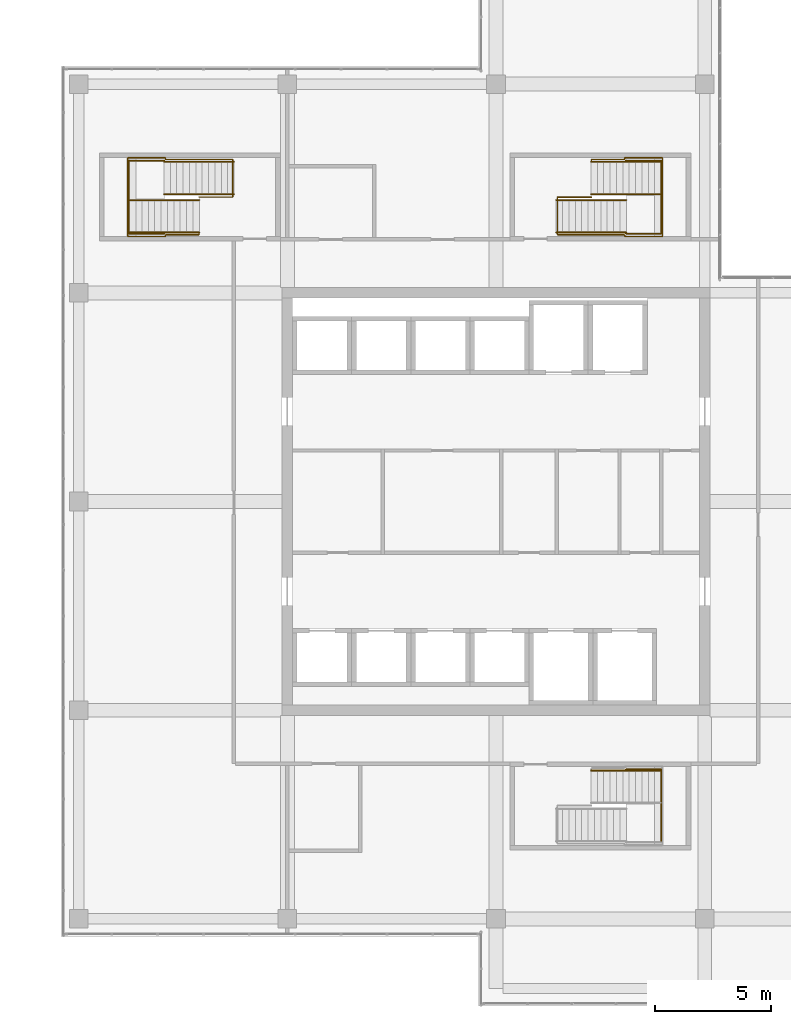
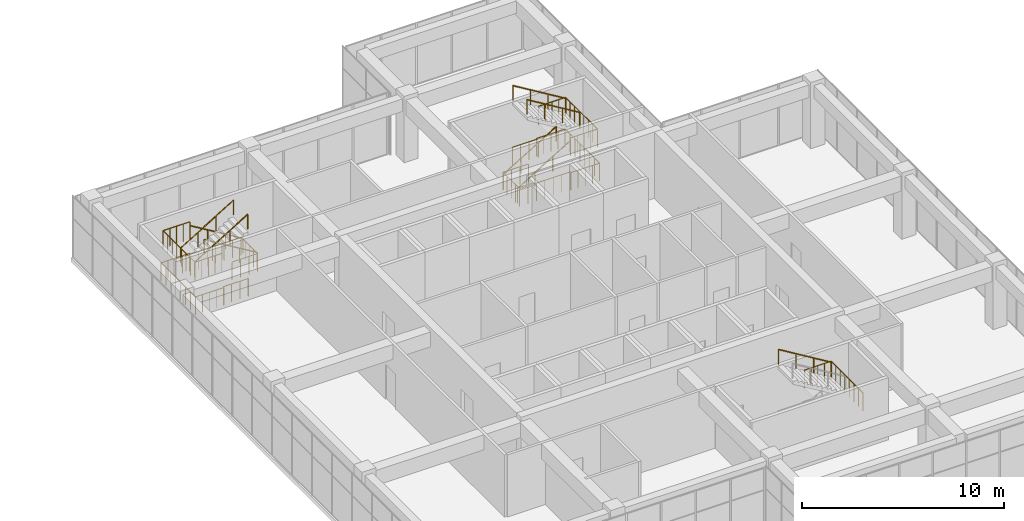
# One storey, part 55 of 55: 21 railings.
"""IFC4 building model written with IfcOpenShell, lengths in metres."""

from ifc_helpers import new_model, si_unit, direction, frame, origin, origin_2d, place, context, subcontext, project, spatial, circle, extrude, material, type_object, element, save


model = new_model("IFC4")

# Units and contexts
model_context = context("Model", 3, precision=1e-05, world=origin(), true_north=direction((0.0, 1.0)))
body_context = subcontext(model_context, "Body", "Model", "MODEL_VIEW")
ifc_project = project(units=[si_unit("LENGTHUNIT", "METRE"), si_unit("AREAUNIT", "SQUARE_METRE"), si_unit("VOLUMEUNIT", "CUBIC_METRE"), si_unit("PLANEANGLEUNIT", "RADIAN"), si_unit("MASSUNIT", "GRAM", prefix="KILO")], contexts=[model_context])

# Site, building, storey
site_placement = place(None, origin())
site = spatial("IfcSite", under=ifc_project, at=site_placement, CompositionType="ELEMENT")
building_placement = place(site_placement, origin())
building = spatial("IfcBuilding", under=site, at=building_placement, Name="Tuart Plaza Theatre", CompositionType="ELEMENT")
storey_placement = place(building_placement, frame((0.0, 0.0, 21.5)))
storey = spatial("IfcBuildingStorey", under=building, at=storey_placement, Name="L05", CompositionType="ELEMENT", Elevation=21.5)

# Railings
ifc_material_1 = material(Name="Steel Grade C350L0", Category="steel")
railing_type_1 = type_object("IfcRailingType", Name="RAILING Guard 1100", PredefinedType="GUARDRAIL", material=ifc_material_1)
railing_1_placement = place(storey_placement, frame((139.1298828125, 59.300048828125, 2.0)))
element("IfcRailing", 1, at=railing_1_placement, inside=storey, type_object=railing_type_1, Name="GR227", PredefinedType="GUARDRAIL", context=body_context, shape_type="SweptSolid", body=[
    extrude(circle(Radius=0.02490234375, at=origin_2d()), frame((0.0, 0.0, 1.0751953125), z_axis=(0.0, 1.0, 0.0), x_axis=(-1.0, 0.0, 0.0)), (0.0, 0.0, 1.0), 3.14990234375),
    extrude(circle(Radius=0.02001953125, at=origin_2d()), origin(), (0.0, 0.0, 1.0), 1.050048828125),
    extrude(circle(Radius=0.02001953125, at=origin_2d()), frame((0.0, 0.449951171875, 0.0)), (0.0, 0.0, 1.0), 1.050048828125),
    extrude(circle(Radius=0.02001953125, at=origin_2d()), frame((0.0, 0.89990234375, 0.0)), (0.0, 0.0, 1.0), 1.050048828125),
    extrude(circle(Radius=0.02001953125, at=origin_2d()), frame((0.0, 1.349853515625, 0.0)), (0.0, 0.0, 1.0), 1.050048828125),
    extrude(circle(Radius=0.02001953125, at=origin_2d()), frame((0.0, 1.800048828125, 0.0)), (0.0, 0.0, 1.0), 1.050048828125),
    extrude(circle(Radius=0.02001953125, at=origin_2d()), frame((0.0, 2.25, 0.0)), (0.0, 0.0, 1.0), 1.050048828125),
    extrude(circle(Radius=0.02001953125, at=origin_2d()), frame((0.0, 2.699951171875, 0.0)), (0.0, 0.0, 1.0), 1.050048828125),
    extrude(circle(Radius=0.02001953125, at=origin_2d()), frame((0.0, 3.14990234375, 0.0)), (0.0, 0.0, 1.0), 1.050048828125),
])
railing_2_placement = place(storey_placement, frame((139.1298828125, 62.449951171875, 2.0)))
element("IfcRailing", 2, at=railing_2_placement, inside=storey, type_object=railing_type_1, Name="GR228", PredefinedType="GUARDRAIL", context=body_context, shape_type="SweptSolid", body=[
    extrude(circle(Radius=0.02490234375, at=origin_2d()), frame((0.0, 0.0, 1.0751953125), z_axis=(-1.0, 0.0, 0.0), x_axis=(0.0, -1.0, 0.0)), (0.0, 0.0, 1.0), 1.52978515625),
    extrude(circle(Radius=0.02001953125, at=origin_2d()), origin(), (0.0, 0.0, 1.0), 1.050048828125),
    extrude(circle(Radius=0.02001953125, at=origin_2d()), frame((-0.38232421875, 0.0, 0.0)), (0.0, 0.0, 1.0), 1.050048828125),
    extrude(circle(Radius=0.02001953125, at=origin_2d()), frame((-0.764892578125, 0.0, 0.0)), (0.0, 0.0, 1.0), 1.050048828125),
    extrude(circle(Radius=0.02001953125, at=origin_2d()), frame((-1.1474609375, 0.0, 0.0)), (0.0, 0.0, 1.0), 1.050048828125),
    extrude(circle(Radius=0.02001953125, at=origin_2d()), frame((-1.52978515625, 0.0, 0.0)), (0.0, 0.0, 1.0), 1.050048828125),
])
railing_3_placement = place(storey_placement, frame((134.655029296875, 87.125, 0.0)))
element("IfcRailing", 3, at=railing_3_placement, inside=storey, type_object=railing_type_1, Name="GR298", PredefinedType="GUARDRAIL", context=body_context, shape_type="SweptSolid", body=[
    extrude(circle(Radius=0.02490234375, at=origin_2d()), frame((0.0, 0.0, 1.0751953125), z_axis=(1.0, 0.0, 0.0), x_axis=(0.0, 1.0, 0.0)), (0.0, 0.0, 1.0), 1.455078125),
    extrude(circle(Radius=0.02001953125, at=origin_2d()), origin(), (0.0, 0.0, 1.0), 1.050048828125),
    extrude(circle(Radius=0.02001953125, at=origin_2d()), frame((0.485107421875, 0.0, 0.0)), (0.0, 0.0, 1.0), 1.050048828125),
    extrude(circle(Radius=0.02001953125, at=origin_2d()), frame((0.969970703125, 0.0, 0.0)), (0.0, 0.0, 1.0), 1.050048828125),
    extrude(circle(Radius=0.02001953125, at=origin_2d()), frame((1.455078125, 0.0, 0.0)), (0.0, 0.0, 1.0), 1.050048828125),
])
railing_4_placement = place(storey_placement, frame((136.114990234375, 88.705078125, 0.0)))
element("IfcRailing", 4, at=railing_4_placement, inside=storey, type_object=railing_type_1, Name="GR299", PredefinedType="GUARDRAIL", context=body_context, shape_type="SweptSolid", body=[
    extrude(circle(Radius=0.02490234375, at=origin_2d()), frame((0.0, 0.0, 1.0751953125), z_axis=(0.0, 1.0, 0.0), x_axis=(-1.0, 0.0, 0.0)), (0.0, 0.0, 1.0), 0.044921875),
    extrude(circle(Radius=0.02490234375, at=origin_2d()), frame((0.0, 0.044921875, 1.0751953125), z_axis=(1.0, 0.0, 0.0), x_axis=(0.0, 1.0, 0.0)), (0.0, 0.0, 1.0), 1.43505859375),
    extrude(circle(Radius=0.02490234375, at=origin_2d()), frame((1.43505859375, 0.044921875, 1.0751953125), z_axis=(0.0, 1.0, 0.0), x_axis=(-1.0, 0.0, 0.0)), (0.0, 0.0, 1.0), 0.074951171875),
    extrude(circle(Radius=0.02490234375, at=origin_2d()), frame((1.43505859375, 0.119873046875, 1.0751953125), z_axis=(1.0, 0.0, 0.0), x_axis=(0.0, 1.0, 0.0)), (0.0, 0.0, 1.0), 1.6298828125),
    extrude(circle(Radius=0.02490234375, at=origin_2d()), frame((3.06494140625, 0.119873046875, 1.0751953125), z_axis=(0.0, -1.0, 0.0), x_axis=(1.0, 0.0, 0.0)), (0.0, 0.0, 1.0), 3.39990234375),
    extrude(circle(Radius=0.02490234375, at=origin_2d()), frame((3.06494140625, -3.280029296875, 1.0751953125), z_axis=(-1.0, 0.0, 0.0), x_axis=(0.0, -1.0, 0.0)), (0.0, 0.0, 1.0), 1.6298828125),
    extrude(circle(Radius=0.02490234375, at=origin_2d()), frame((1.43505859375, -3.280029296875, 1.0751953125), z_axis=(0.0, 1.0, 0.0), x_axis=(-1.0, 0.0, 0.0)), (0.0, 0.0, 1.0), 0.074951171875),
    extrude(circle(Radius=0.02490234375, at=origin_2d()), frame((1.43505859375, -3.205078125, 1.0751953125), z_axis=(-1.0, 0.0, 0.0), x_axis=(0.0, -1.0, 0.0)), (0.0, 0.0, 1.0), 2.89501953125),
    extrude(circle(Radius=0.02490234375, at=origin_2d()), frame((-1.4599609375, -3.205078125, 1.0751953125), z_axis=(0.0, 1.0, 0.0), x_axis=(-1.0, 0.0, 0.0)), (0.0, 0.0, 1.0), 1.625),
    extrude(circle(Radius=0.02001953125, at=origin_2d()), origin(), (0.0, 0.0, 1.0), 1.050048828125),
    extrude(circle(Radius=0.02001953125, at=origin_2d()), frame((0.0, 0.044921875, 0.0)), (0.0, 0.0, 1.0), 1.050048828125),
    extrude(circle(Radius=0.02001953125, at=origin_2d()), frame((0.478271484375, 0.044921875, 0.0)), (0.0, 0.0, 1.0), 1.050048828125),
    extrude(circle(Radius=0.02001953125, at=origin_2d()), frame((0.956787109375, 0.044921875, 0.0)), (0.0, 0.0, 1.0), 1.050048828125),
    extrude(circle(Radius=0.02001953125, at=origin_2d()), frame((1.43505859375, 0.044921875, 0.0)), (0.0, 0.0, 1.0), 1.050048828125),
    extrude(circle(Radius=0.02001953125, at=origin_2d()), frame((1.43505859375, 0.119873046875, 0.0)), (0.0, 0.0, 1.0), 1.050048828125),
    extrude(circle(Radius=0.02001953125, at=origin_2d()), frame((1.842529296875, 0.119873046875, 0.0)), (0.0, 0.0, 1.0), 1.050048828125),
    extrude(circle(Radius=0.02001953125, at=origin_2d()), frame((2.25, 0.119873046875, 0.0)), (0.0, 0.0, 1.0), 1.050048828125),
    extrude(circle(Radius=0.02001953125, at=origin_2d()), frame((2.657470703125, 0.119873046875, 0.0)), (0.0, 0.0, 1.0), 1.050048828125),
    extrude(circle(Radius=0.02001953125, at=origin_2d()), frame((3.06494140625, 0.119873046875, 0.0)), (0.0, 0.0, 1.0), 1.050048828125),
    extrude(circle(Radius=0.02001953125, at=origin_2d()), frame((3.06494140625, -0.36572265625, 0.0)), (0.0, 0.0, 1.0), 1.050048828125),
    extrude(circle(Radius=0.02001953125, at=origin_2d()), frame((3.06494140625, -0.8515625, 0.0)), (0.0, 0.0, 1.0), 1.050048828125),
    extrude(circle(Radius=0.02001953125, at=origin_2d()), frame((3.06494140625, -1.337158203125, 0.0)), (0.0, 0.0, 1.0), 1.050048828125),
    extrude(circle(Radius=0.02001953125, at=origin_2d()), frame((3.06494140625, -1.822998046875, 0.0)), (0.0, 0.0, 1.0), 1.050048828125),
    extrude(circle(Radius=0.02001953125, at=origin_2d()), frame((3.06494140625, -2.30859375, 0.0)), (0.0, 0.0, 1.0), 1.050048828125),
    extrude(circle(Radius=0.02001953125, at=origin_2d()), frame((3.06494140625, -2.79443359375, 0.0)), (0.0, 0.0, 1.0), 1.050048828125),
    extrude(circle(Radius=0.02001953125, at=origin_2d()), frame((3.06494140625, -3.280029296875, 0.0)), (0.0, 0.0, 1.0), 1.050048828125),
    extrude(circle(Radius=0.02001953125, at=origin_2d()), frame((2.657470703125, -3.280029296875, 0.0)), (0.0, 0.0, 1.0), 1.050048828125),
    extrude(circle(Radius=0.02001953125, at=origin_2d()), frame((2.25, -3.280029296875, 0.0)), (0.0, 0.0, 1.0), 1.050048828125),
    extrude(circle(Radius=0.02001953125, at=origin_2d()), frame((1.842529296875, -3.280029296875, 0.0)), (0.0, 0.0, 1.0), 1.050048828125),
    extrude(circle(Radius=0.02001953125, at=origin_2d()), frame((1.43505859375, -3.280029296875, 0.0)), (0.0, 0.0, 1.0), 1.050048828125),
    extrude(circle(Radius=0.02001953125, at=origin_2d()), frame((1.43505859375, -3.205078125, 0.0)), (0.0, 0.0, 1.0), 1.050048828125),
    extrude(circle(Radius=0.02001953125, at=origin_2d()), frame((0.95263671875, -3.205078125, 0.0)), (0.0, 0.0, 1.0), 1.050048828125),
    extrude(circle(Radius=0.02001953125, at=origin_2d()), frame((0.469970703125, -3.205078125, 0.0)), (0.0, 0.0, 1.0), 1.050048828125),
    extrude(circle(Radius=0.02001953125, at=origin_2d()), frame((-0.012451171875, -3.205078125, 0.0)), (0.0, 0.0, 1.0), 1.050048828125),
    extrude(circle(Radius=0.02001953125, at=origin_2d()), frame((-0.494873046875, -3.205078125, 0.0)), (0.0, 0.0, 1.0), 1.050048828125),
    extrude(circle(Radius=0.02001953125, at=origin_2d()), frame((-0.9775390625, -3.205078125, 0.0)), (0.0, 0.0, 1.0), 1.050048828125),
    extrude(circle(Radius=0.02001953125, at=origin_2d()), frame((-1.4599609375, -3.205078125, 0.0)), (0.0, 0.0, 1.0), 1.050048828125),
    extrude(circle(Radius=0.02001953125, at=origin_2d()), frame((-1.4599609375, -2.798828125, 0.0)), (0.0, 0.0, 1.0), 1.050048828125),
    extrude(circle(Radius=0.02001953125, at=origin_2d()), frame((-1.4599609375, -2.392578125, 0.0)), (0.0, 0.0, 1.0), 1.050048828125),
    extrude(circle(Radius=0.02001953125, at=origin_2d()), frame((-1.4599609375, -1.986328125, 0.0)), (0.0, 0.0, 1.0), 1.050048828125),
    extrude(circle(Radius=0.02001953125, at=origin_2d()), frame((-1.4599609375, -1.580078125, 0.0)), (0.0, 0.0, 1.0), 1.050048828125),
])
railing_5_placement = place(storey_placement, frame((137.60009765625, 85.550048828125, 2.0)))
element("IfcRailing", 5, at=railing_5_placement, inside=storey, type_object=railing_type_1, Name="GR305", PredefinedType="GUARDRAIL", context=body_context, shape_type="SweptSolid", body=[
    extrude(circle(Radius=0.02490234375, at=origin_2d()), frame((0.0, 0.0, 1.0751953125), z_axis=(1.0, 0.0, 0.0), x_axis=(0.0, 1.0, 0.0)), (0.0, 0.0, 1.0), 1.52978515625),
    extrude(circle(Radius=0.02001953125, at=origin_2d()), origin(), (0.0, 0.0, 1.0), 1.050048828125),
    extrude(circle(Radius=0.02001953125, at=origin_2d()), frame((0.38232421875, 0.0, 0.0)), (0.0, 0.0, 1.0), 1.050048828125),
    extrude(circle(Radius=0.02001953125, at=origin_2d()), frame((0.764892578125, 0.0, 0.0)), (0.0, 0.0, 1.0), 1.050048828125),
    extrude(circle(Radius=0.02001953125, at=origin_2d()), frame((1.1474609375, 0.0, 0.0)), (0.0, 0.0, 1.0), 1.050048828125),
    extrude(circle(Radius=0.02001953125, at=origin_2d()), frame((1.52978515625, 0.0, 0.0)), (0.0, 0.0, 1.0), 1.050048828125),
])
railing_6_placement = place(storey_placement, frame((139.1298828125, 85.550048828125, 2.0)))
element("IfcRailing", 6, at=railing_6_placement, inside=storey, type_object=railing_type_1, Name="GR306", PredefinedType="GUARDRAIL", context=body_context, shape_type="SweptSolid", body=[
    extrude(circle(Radius=0.02490234375, at=origin_2d()), frame((0.0, 0.0, 1.0751953125), z_axis=(0.0, 1.0, 0.0), x_axis=(-1.0, 0.0, 0.0)), (0.0, 0.0, 1.0), 3.14990234375),
    extrude(circle(Radius=0.02001953125, at=origin_2d()), origin(), (0.0, 0.0, 1.0), 1.050048828125),
    extrude(circle(Radius=0.02001953125, at=origin_2d()), frame((0.0, 0.449951171875, 0.0)), (0.0, 0.0, 1.0), 1.050048828125),
    extrude(circle(Radius=0.02001953125, at=origin_2d()), frame((0.0, 0.89990234375, 0.0)), (0.0, 0.0, 1.0), 1.050048828125),
    extrude(circle(Radius=0.02001953125, at=origin_2d()), frame((0.0, 1.349853515625, 0.0)), (0.0, 0.0, 1.0), 1.050048828125),
    extrude(circle(Radius=0.02001953125, at=origin_2d()), frame((0.0, 1.800048828125, 0.0)), (0.0, 0.0, 1.0), 1.050048828125),
    extrude(circle(Radius=0.02001953125, at=origin_2d()), frame((0.0, 2.25, 0.0)), (0.0, 0.0, 1.0), 1.050048828125),
    extrude(circle(Radius=0.02001953125, at=origin_2d()), frame((0.0, 2.699951171875, 0.0)), (0.0, 0.0, 1.0), 1.050048828125),
    extrude(circle(Radius=0.02001953125, at=origin_2d()), frame((0.0, 3.14990234375, 0.0)), (0.0, 0.0, 1.0), 1.050048828125),
])
railing_7_placement = place(storey_placement, frame((139.1298828125, 88.699951171875, 2.0)))
element("IfcRailing", 7, at=railing_7_placement, inside=storey, type_object=railing_type_1, Name="GR307", PredefinedType="GUARDRAIL", context=body_context, shape_type="SweptSolid", body=[
    extrude(circle(Radius=0.02490234375, at=origin_2d()), frame((0.0, 0.0, 1.0751953125), z_axis=(-1.0, 0.0, 0.0), x_axis=(0.0, -1.0, 0.0)), (0.0, 0.0, 1.0), 1.52978515625),
    extrude(circle(Radius=0.02001953125, at=origin_2d()), origin(), (0.0, 0.0, 1.0), 1.050048828125),
    extrude(circle(Radius=0.02001953125, at=origin_2d()), frame((-0.38232421875, 0.0, 0.0)), (0.0, 0.0, 1.0), 1.050048828125),
    extrude(circle(Radius=0.02001953125, at=origin_2d()), frame((-0.764892578125, 0.0, 0.0)), (0.0, 0.0, 1.0), 1.050048828125),
    extrude(circle(Radius=0.02001953125, at=origin_2d()), frame((-1.1474609375, 0.0, 0.0)), (0.0, 0.0, 1.0), 1.050048828125),
    extrude(circle(Radius=0.02001953125, at=origin_2d()), frame((-1.52978515625, 0.0, 0.0)), (0.0, 0.0, 1.0), 1.050048828125),
])
railing_8_placement = place(storey_placement, frame((120.64501953125, 88.75, 0.0)))
element("IfcRailing", 8, at=railing_8_placement, inside=storey, type_object=railing_type_1, Name="GR377", PredefinedType="GUARDRAIL", context=body_context, shape_type="SweptSolid", body=[
    extrude(circle(Radius=0.02490234375, at=origin_2d()), frame((0.0, 0.0, 1.0751953125), z_axis=(0.0, -1.0, 0.0), x_axis=(1.0, 0.0, 0.0)), (0.0, 0.0, 1.0), 1.625),
    extrude(circle(Radius=0.02490234375, at=origin_2d()), frame((0.0, -1.625, 1.0751953125), z_axis=(-1.0, 0.0, 0.0), x_axis=(0.0, -1.0, 0.0)), (0.0, 0.0, 1.0), 1.455078125),
    extrude(circle(Radius=0.02001953125, at=origin_2d()), origin(), (0.0, 0.0, 1.0), 1.050048828125),
    extrude(circle(Radius=0.02001953125, at=origin_2d()), frame((0.0, -0.40625, 0.0)), (0.0, 0.0, 1.0), 1.050048828125),
    extrude(circle(Radius=0.02001953125, at=origin_2d()), frame((0.0, -0.8125, 0.0)), (0.0, 0.0, 1.0), 1.050048828125),
    extrude(circle(Radius=0.02001953125, at=origin_2d()), frame((0.0, -1.21875, 0.0)), (0.0, 0.0, 1.0), 1.050048828125),
    extrude(circle(Radius=0.02001953125, at=origin_2d()), frame((0.0, -1.625, 0.0)), (0.0, 0.0, 1.0), 1.050048828125),
    extrude(circle(Radius=0.02001953125, at=origin_2d()), frame((-0.485107421875, -1.625, 0.0)), (0.0, 0.0, 1.0), 1.050048828125),
    extrude(circle(Radius=0.02001953125, at=origin_2d()), frame((-0.969970703125, -1.625, 0.0)), (0.0, 0.0, 1.0), 1.050048828125),
    extrude(circle(Radius=0.02001953125, at=origin_2d()), frame((-1.455078125, -1.625, 0.0)), (0.0, 0.0, 1.0), 1.050048828125),
])
railing_9_placement = place(storey_placement, frame((119.18505859375, 85.544921875, 0.0)))
element("IfcRailing", 9, at=railing_9_placement, inside=storey, type_object=railing_type_1, Name="GR378", PredefinedType="GUARDRAIL", context=body_context, shape_type="SweptSolid", body=[
    extrude(circle(Radius=0.02490234375, at=origin_2d()), frame((0.0, 0.0, 1.0751953125), z_axis=(0.0, -1.0, 0.0), x_axis=(1.0, 0.0, 0.0)), (0.0, 0.0, 1.0), 0.044921875),
    extrude(circle(Radius=0.02490234375, at=origin_2d()), frame((0.0, -0.044921875, 1.0751953125), z_axis=(-1.0, 0.0, 0.0), x_axis=(0.0, -1.0, 0.0)), (0.0, 0.0, 1.0), 1.43505859375),
    extrude(circle(Radius=0.02490234375, at=origin_2d()), frame((-1.43505859375, -0.044921875, 1.0751953125), z_axis=(0.0, -1.0, 0.0), x_axis=(1.0, 0.0, 0.0)), (0.0, 0.0, 1.0), 0.074951171875),
    extrude(circle(Radius=0.02490234375, at=origin_2d()), frame((-1.43505859375, -0.119873046875, 1.0751953125), z_axis=(-1.0, 0.0, 0.0), x_axis=(0.0, -1.0, 0.0)), (0.0, 0.0, 1.0), 1.6298828125),
    extrude(circle(Radius=0.02490234375, at=origin_2d()), frame((-3.06494140625, -0.119873046875, 1.0751953125), z_axis=(0.0, 1.0, 0.0), x_axis=(-1.0, 0.0, 0.0)), (0.0, 0.0, 1.0), 3.39990234375),
    extrude(circle(Radius=0.02490234375, at=origin_2d()), frame((-3.06494140625, 3.280029296875, 1.0751953125), z_axis=(1.0, 0.0, 0.0), x_axis=(0.0, 1.0, 0.0)), (0.0, 0.0, 1.0), 1.6298828125),
    extrude(circle(Radius=0.02490234375, at=origin_2d()), frame((-1.43505859375, 3.280029296875, 1.0751953125), z_axis=(0.0, -1.0, 0.0), x_axis=(1.0, 0.0, 0.0)), (0.0, 0.0, 1.0), 0.074951171875),
    extrude(circle(Radius=0.02490234375, at=origin_2d()), frame((-1.43505859375, 3.205078125, 1.0751953125), z_axis=(1.0, 0.0, 0.0), x_axis=(0.0, 1.0, 0.0)), (0.0, 0.0, 1.0), 2.89501953125),
    extrude(circle(Radius=0.02001953125, at=origin_2d()), origin(), (0.0, 0.0, 1.0), 1.050048828125),
    extrude(circle(Radius=0.02001953125, at=origin_2d()), frame((0.0, -0.044921875, 0.0)), (0.0, 0.0, 1.0), 1.050048828125),
    extrude(circle(Radius=0.02001953125, at=origin_2d()), frame((-0.478271484375, -0.044921875, 0.0)), (0.0, 0.0, 1.0), 1.050048828125),
    extrude(circle(Radius=0.02001953125, at=origin_2d()), frame((-0.956787109375, -0.044921875, 0.0)), (0.0, 0.0, 1.0), 1.050048828125),
    extrude(circle(Radius=0.02001953125, at=origin_2d()), frame((-1.43505859375, -0.044921875, 0.0)), (0.0, 0.0, 1.0), 1.050048828125),
    extrude(circle(Radius=0.02001953125, at=origin_2d()), frame((-1.43505859375, -0.119873046875, 0.0)), (0.0, 0.0, 1.0), 1.050048828125),
    extrude(circle(Radius=0.02001953125, at=origin_2d()), frame((-1.842529296875, -0.119873046875, 0.0)), (0.0, 0.0, 1.0), 1.050048828125),
    extrude(circle(Radius=0.02001953125, at=origin_2d()), frame((-2.25, -0.119873046875, 0.0)), (0.0, 0.0, 1.0), 1.050048828125),
    extrude(circle(Radius=0.02001953125, at=origin_2d()), frame((-2.657470703125, -0.119873046875, 0.0)), (0.0, 0.0, 1.0), 1.050048828125),
    extrude(circle(Radius=0.02001953125, at=origin_2d()), frame((-3.06494140625, -0.119873046875, 0.0)), (0.0, 0.0, 1.0), 1.050048828125),
    extrude(circle(Radius=0.02001953125, at=origin_2d()), frame((-3.06494140625, 0.36572265625, 0.0)), (0.0, 0.0, 1.0), 1.050048828125),
    extrude(circle(Radius=0.02001953125, at=origin_2d()), frame((-3.06494140625, 0.8515625, 0.0)), (0.0, 0.0, 1.0), 1.050048828125),
    extrude(circle(Radius=0.02001953125, at=origin_2d()), frame((-3.06494140625, 1.337158203125, 0.0)), (0.0, 0.0, 1.0), 1.050048828125),
    extrude(circle(Radius=0.02001953125, at=origin_2d()), frame((-3.06494140625, 1.822998046875, 0.0)), (0.0, 0.0, 1.0), 1.050048828125),
    extrude(circle(Radius=0.02001953125, at=origin_2d()), frame((-3.06494140625, 2.30859375, 0.0)), (0.0, 0.0, 1.0), 1.050048828125),
    extrude(circle(Radius=0.02001953125, at=origin_2d()), frame((-3.06494140625, 2.79443359375, 0.0)), (0.0, 0.0, 1.0), 1.050048828125),
    extrude(circle(Radius=0.02001953125, at=origin_2d()), frame((-3.06494140625, 3.280029296875, 0.0)), (0.0, 0.0, 1.0), 1.050048828125),
    extrude(circle(Radius=0.02001953125, at=origin_2d()), frame((-2.657470703125, 3.280029296875, 0.0)), (0.0, 0.0, 1.0), 1.050048828125),
    extrude(circle(Radius=0.02001953125, at=origin_2d()), frame((-2.25, 3.280029296875, 0.0)), (0.0, 0.0, 1.0), 1.050048828125),
    extrude(circle(Radius=0.02001953125, at=origin_2d()), frame((-1.842529296875, 3.280029296875, 0.0)), (0.0, 0.0, 1.0), 1.050048828125),
    extrude(circle(Radius=0.02001953125, at=origin_2d()), frame((-1.43505859375, 3.280029296875, 0.0)), (0.0, 0.0, 1.0), 1.050048828125),
    extrude(circle(Radius=0.02001953125, at=origin_2d()), frame((-1.43505859375, 3.205078125, 0.0)), (0.0, 0.0, 1.0), 1.050048828125),
    extrude(circle(Radius=0.02001953125, at=origin_2d()), frame((-0.95263671875, 3.205078125, 0.0)), (0.0, 0.0, 1.0), 1.050048828125),
    extrude(circle(Radius=0.02001953125, at=origin_2d()), frame((-0.469970703125, 3.205078125, 0.0)), (0.0, 0.0, 1.0), 1.050048828125),
    extrude(circle(Radius=0.02001953125, at=origin_2d()), frame((0.012451171875, 3.205078125, 0.0)), (0.0, 0.0, 1.0), 1.050048828125),
    extrude(circle(Radius=0.02001953125, at=origin_2d()), frame((0.494873046875, 3.205078125, 0.0)), (0.0, 0.0, 1.0), 1.050048828125),
    extrude(circle(Radius=0.02001953125, at=origin_2d()), frame((0.9775390625, 3.205078125, 0.0)), (0.0, 0.0, 1.0), 1.050048828125),
    extrude(circle(Radius=0.02001953125, at=origin_2d()), frame((1.4599609375, 3.205078125, 0.0)), (0.0, 0.0, 1.0), 1.050048828125),
])
railing_10_placement = place(storey_placement, frame((117.699951171875, 88.699951171875, 2.0)))
element("IfcRailing", 10, at=railing_10_placement, inside=storey, type_object=railing_type_1, Name="GR384", PredefinedType="GUARDRAIL", context=body_context, shape_type="SweptSolid", body=[
    extrude(circle(Radius=0.02490234375, at=origin_2d()), frame((0.0, 0.0, 1.0751953125), z_axis=(-1.0, 0.0, 0.0), x_axis=(0.0, -1.0, 0.0)), (0.0, 0.0, 1.0), 1.530029296875),
    extrude(circle(Radius=0.02001953125, at=origin_2d()), origin(), (0.0, 0.0, 1.0), 1.050048828125),
    extrude(circle(Radius=0.02001953125, at=origin_2d()), frame((-0.382568359375, 0.0, 0.0)), (0.0, 0.0, 1.0), 1.050048828125),
    extrude(circle(Radius=0.02001953125, at=origin_2d()), frame((-0.76513671875, 0.0, 0.0)), (0.0, 0.0, 1.0), 1.050048828125),
    extrude(circle(Radius=0.02001953125, at=origin_2d()), frame((-1.1474609375, 0.0, 0.0)), (0.0, 0.0, 1.0), 1.050048828125),
    extrude(circle(Radius=0.02001953125, at=origin_2d()), frame((-1.530029296875, 0.0, 0.0)), (0.0, 0.0, 1.0), 1.050048828125),
])
railing_11_placement = place(storey_placement, frame((116.169921875, 88.699951171875, 2.0)))
element("IfcRailing", 11, at=railing_11_placement, inside=storey, type_object=railing_type_1, Name="GR385", PredefinedType="GUARDRAIL", context=body_context, shape_type="SweptSolid", body=[
    extrude(circle(Radius=0.02490234375, at=origin_2d()), frame((0.0, 0.0, 1.0751953125), z_axis=(0.0, -1.0, 0.0), x_axis=(1.0, 0.0, 0.0)), (0.0, 0.0, 1.0), 3.14990234375),
    extrude(circle(Radius=0.02001953125, at=origin_2d()), origin(), (0.0, 0.0, 1.0), 1.050048828125),
    extrude(circle(Radius=0.02001953125, at=origin_2d()), frame((0.0, -0.449951171875, 0.0)), (0.0, 0.0, 1.0), 1.050048828125),
    extrude(circle(Radius=0.02001953125, at=origin_2d()), frame((0.0, -0.89990234375, 0.0)), (0.0, 0.0, 1.0), 1.050048828125),
    extrude(circle(Radius=0.02001953125, at=origin_2d()), frame((0.0, -1.349853515625, 0.0)), (0.0, 0.0, 1.0), 1.050048828125),
    extrude(circle(Radius=0.02001953125, at=origin_2d()), frame((0.0, -1.800048828125, 0.0)), (0.0, 0.0, 1.0), 1.050048828125),
    extrude(circle(Radius=0.02001953125, at=origin_2d()), frame((0.0, -2.25, 0.0)), (0.0, 0.0, 1.0), 1.050048828125),
    extrude(circle(Radius=0.02001953125, at=origin_2d()), frame((0.0, -2.699951171875, 0.0)), (0.0, 0.0, 1.0), 1.050048828125),
    extrude(circle(Radius=0.02001953125, at=origin_2d()), frame((0.0, -3.14990234375, 0.0)), (0.0, 0.0, 1.0), 1.050048828125),
])
railing_12_placement = place(storey_placement, frame((116.169921875, 85.550048828125, 2.0)))
element("IfcRailing", 12, at=railing_12_placement, inside=storey, type_object=railing_type_1, Name="GR386", PredefinedType="GUARDRAIL", context=body_context, shape_type="SweptSolid", body=[
    extrude(circle(Radius=0.02490234375, at=origin_2d()), frame((0.0, 0.0, 1.0751953125), z_axis=(1.0, 0.0, 0.0), x_axis=(0.0, 1.0, 0.0)), (0.0, 0.0, 1.0), 1.530029296875),
    extrude(circle(Radius=0.02001953125, at=origin_2d()), origin(), (0.0, 0.0, 1.0), 1.050048828125),
    extrude(circle(Radius=0.02001953125, at=origin_2d()), frame((0.382568359375, 0.0, 0.0)), (0.0, 0.0, 1.0), 1.050048828125),
    extrude(circle(Radius=0.02001953125, at=origin_2d()), frame((0.76513671875, 0.0, 0.0)), (0.0, 0.0, 1.0), 1.050048828125),
    extrude(circle(Radius=0.02001953125, at=origin_2d()), frame((1.1474609375, 0.0, 0.0)), (0.0, 0.0, 1.0), 1.050048828125),
    extrude(circle(Radius=0.02001953125, at=origin_2d()), frame((1.530029296875, 0.0, 0.0)), (0.0, 0.0, 1.0), 1.050048828125),
])
ifc_material_2 = material(Name="Steel Grade C350L0", Category="steel")
railing_type_2 = type_object("IfcRailingType", Name="RAILING Handrail 900", PredefinedType="HANDRAIL", material=ifc_material_2)
railing_13_placement = place(storey_placement, frame((139.1201171875, 62.39990234375, 2.166748046875)))
element("IfcRailing", 13, at=railing_13_placement, inside=storey, type_object=railing_type_2, Name="HR138", PredefinedType="HANDRAIL", context=body_context, shape_type="SweptSolid", body=[
    extrude(circle(Radius=0.0224609375, at=origin_2d()), frame((0.0, 0.0, 0.87744140625), z_axis=(-0.855219153138, 0.0, 0.518266533848), x_axis=(0.0, -1.0, 0.0)), (0.0, 0.0, 1.0), 3.537353515625),
    extrude(circle(Radius=0.01513671875, at=origin_2d()), origin(), (0.0, 0.0, 1.0), 0.85498046875),
    extrude(circle(Radius=0.01513671875, at=origin_2d()), frame((-1.00830078125, 0.0, 0.611083984375)), (0.0, 0.0, 1.0), 0.85498046875),
    extrude(circle(Radius=0.01513671875, at=origin_2d()), frame((-2.016845703125, 0.0, 1.22216796875)), (0.0, 0.0, 1.0), 0.85498046875),
    extrude(circle(Radius=0.01513671875, at=origin_2d()), frame((-3.025146484375, 0.0, 1.833251953125)), (0.0, 0.0, 1.0), 0.85498046875),
])
for number, where, name in (
    (14, (134.594970703125, 87.0, 0.166748046875), "HR199"),
    (15, (134.594970703125, 85.60009765625, 0.166748046875), "HR200"),
):
    element("IfcRailing", number, at=place(storey_placement, frame(where)), inside=storey, type_object=railing_type_2, Name=name, PredefinedType="HANDRAIL", context=body_context, shape_type="SweptSolid", body=[
        extrude(circle(Radius=0.0224609375, at=origin_2d()), frame((0.0, 0.0, 0.87744140625), z_axis=(0.855219153138, 0.0, 0.518266533848), x_axis=(0.0, 1.0, 0.0)), (0.0, 0.0, 1.0), 3.537353515625),
        extrude(circle(Radius=0.01513671875, at=origin_2d()), origin(), (0.0, 0.0, 1.0), 0.85498046875),
        extrude(circle(Radius=0.01513671875, at=origin_2d()), frame((1.00830078125, 0.0, 0.611083984375)), (0.0, 0.0, 1.0), 0.85498046875),
        extrude(circle(Radius=0.01513671875, at=origin_2d()), frame((2.016845703125, 0.0, 1.22216796875)), (0.0, 0.0, 1.0), 0.85498046875),
        extrude(circle(Radius=0.01513671875, at=origin_2d()), frame((3.025146484375, 0.0, 1.833251953125)), (0.0, 0.0, 1.0), 0.85498046875),
    ])
for number, where, name in (
    (16, (139.1201171875, 87.25, 2.166748046875), "HR201"),
    (17, (139.1201171875, 88.64990234375, 2.166748046875), "HR202"),
    (18, (120.705078125, 87.25, 0.166748046875), "HR263"),
    (19, (120.705078125, 88.64990234375, 0.166748046875), "HR264"),
):
    element("IfcRailing", number, at=place(storey_placement, frame(where)), inside=storey, type_object=railing_type_2, Name=name, PredefinedType="HANDRAIL", context=body_context, shape_type="SweptSolid", body=[
        extrude(circle(Radius=0.0224609375, at=origin_2d()), frame((0.0, 0.0, 0.87744140625), z_axis=(-0.855219153138, 0.0, 0.518266533848), x_axis=(0.0, -1.0, 0.0)), (0.0, 0.0, 1.0), 3.537353515625),
        extrude(circle(Radius=0.01513671875, at=origin_2d()), origin(), (0.0, 0.0, 1.0), 0.85498046875),
        extrude(circle(Radius=0.01513671875, at=origin_2d()), frame((-1.00830078125, 0.0, 0.611083984375)), (0.0, 0.0, 1.0), 0.85498046875),
        extrude(circle(Radius=0.01513671875, at=origin_2d()), frame((-2.016845703125, 0.0, 1.22216796875)), (0.0, 0.0, 1.0), 0.85498046875),
        extrude(circle(Radius=0.01513671875, at=origin_2d()), frame((-3.025146484375, 0.0, 1.833251953125)), (0.0, 0.0, 1.0), 0.85498046875),
    ])
for number, where, name in (
    (20, (116.179931640625, 87.0, 2.166748046875), "HR265"),
    (21, (116.179931640625, 85.60009765625, 2.166748046875), "HR266"),
):
    element("IfcRailing", number, at=place(storey_placement, frame(where)), inside=storey, type_object=railing_type_2, Name=name, PredefinedType="HANDRAIL", context=body_context, shape_type="SweptSolid", body=[
        extrude(circle(Radius=0.0224609375, at=origin_2d()), frame((0.0, 0.0, 0.87744140625), z_axis=(0.855219153138, 0.0, 0.518266533848), x_axis=(0.0, 1.0, 0.0)), (0.0, 0.0, 1.0), 3.537353515625),
        extrude(circle(Radius=0.01513671875, at=origin_2d()), origin(), (0.0, 0.0, 1.0), 0.85498046875),
        extrude(circle(Radius=0.01513671875, at=origin_2d()), frame((1.00830078125, 0.0, 0.611083984375)), (0.0, 0.0, 1.0), 0.85498046875),
        extrude(circle(Radius=0.01513671875, at=origin_2d()), frame((2.016845703125, 0.0, 1.22216796875)), (0.0, 0.0, 1.0), 0.85498046875),
        extrude(circle(Radius=0.01513671875, at=origin_2d()), frame((3.025146484375, 0.0, 1.833251953125)), (0.0, 0.0, 1.0), 0.85498046875),
    ])

save(model, "model.ifc")
